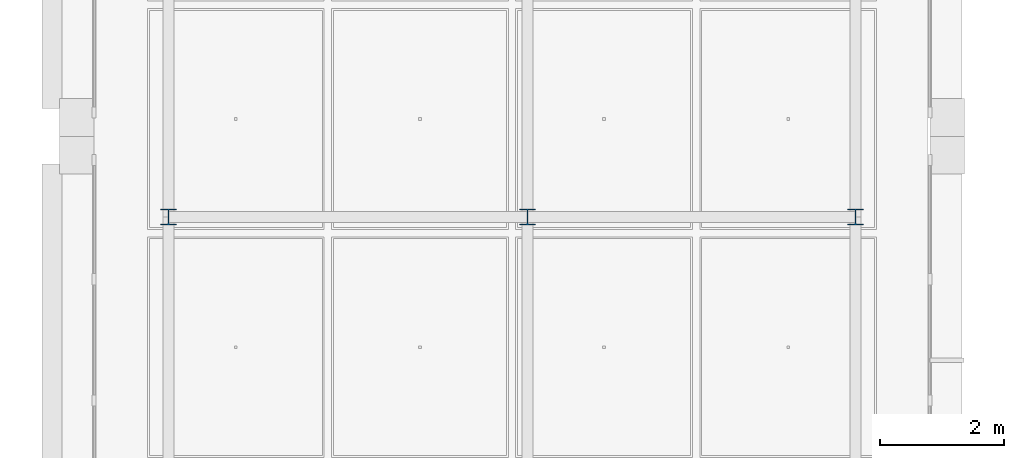
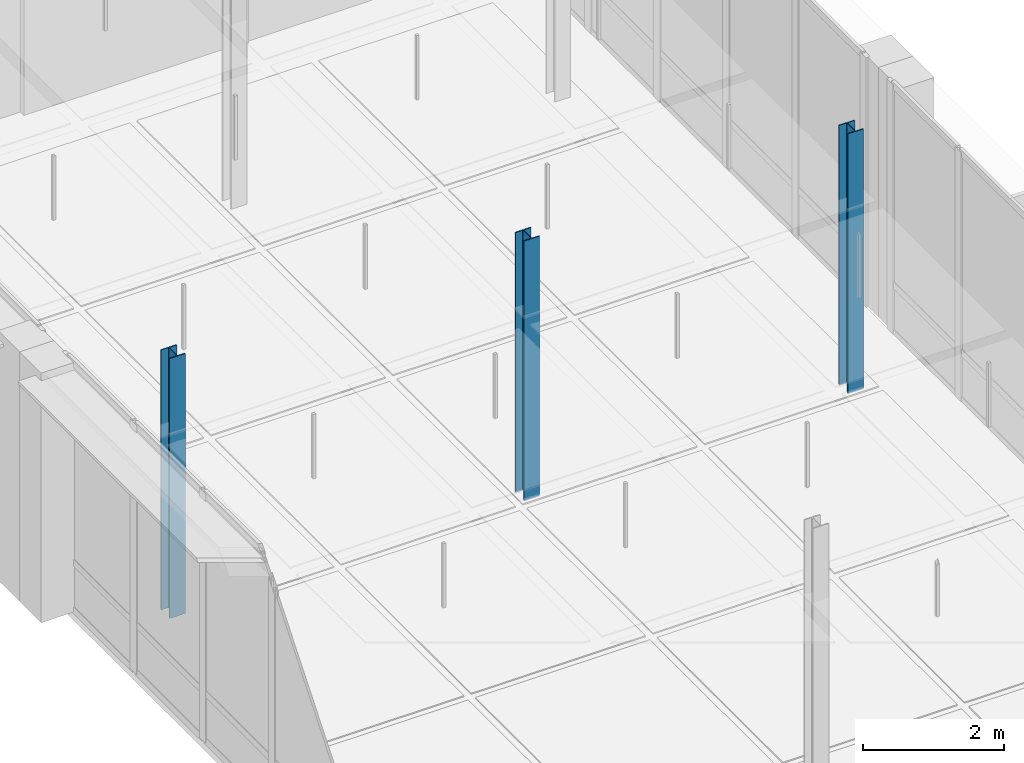
# One storey, part 12 of 130: 3 columns.
"""IFC4 building model written with IfcOpenShell, lengths in metres."""

from ifc_helpers import new_model, si_unit, direction, frame, origin, origin_2d, place, context, subcontext, project, spatial, i_section, extrude, material, material_profile, profile_set, type_object, element, save


model = new_model("IFC4")

# Units and contexts
model_context = context("Model", 3, precision=1e-05, world=origin(), true_north=direction((0.0, 1.0)))
body_context = subcontext(model_context, "Body", "Model", "MODEL_VIEW")
ifc_project = project(units=[si_unit("LENGTHUNIT", "METRE"), si_unit("AREAUNIT", "SQUARE_METRE"), si_unit("VOLUMEUNIT", "CUBIC_METRE"), si_unit("PLANEANGLEUNIT", "RADIAN"), si_unit("MASSUNIT", "GRAM", prefix="KILO"), si_unit("THERMODYNAMICTEMPERATUREUNIT", "KELVIN"), si_unit("POWERUNIT", "WATT")], contexts=[model_context])

# Site, building, storey
site_placement = place(None, origin())
site = spatial("IfcSite", under=ifc_project, at=site_placement, CompositionType="ELEMENT")
building_placement = place(site_placement, origin())
building = spatial("IfcBuilding", under=site, at=building_placement, Name="Tallowbark Science Centre", CompositionType="ELEMENT")
storey_placement = place(building_placement, frame((0.0, 0.0, 5.39990234375)))
storey = spatial("IfcBuildingStorey", under=building, at=storey_placement, Name="L01", CompositionType="ELEMENT", Elevation=5.39990234375)

# Columns
ifc_material = material(Name="Structural Steel Grade 300PLUS (300 MPa)", Category="steel")
ifc_material_profile = material_profile(ifc_material, i_section(OverallWidth=0.256103515625, OverallDepth=0.260009765625, WebThickness=0.010498046875, FlangeThickness=0.017333984375, FilletRadius=0.013916015625, at=origin_2d()), Name="250UC89.5")
ifc_profile_set = profile_set([ifc_material_profile], Name="Structural Steel Grade 300PLUS (300 MPa)")
column_type = type_object("IfcColumnType", Name="COL-UC250A", PredefinedType="COLUMN", material=ifc_profile_set)
for number, where, z_axis, x_axis, name in (
    (1, (100.199951171875, 60.199951171875, 0.0), (0.0, 0.0, 1.0), (1.0, 0.0, 0.0), "Column LNK-0_2 L01"),
    (2, (106.0, 60.199951171875, 0.0), (0.0, 0.0, 1.0), (1.0, 0.0, 0.0), "Column LNK-1_2 L01"),
    (3, (111.300048828125, 60.199951171875, 0.0), (0.0, 0.0, 1.0), (1.0, 0.0, 0.0), "Column LNK-2_2 L01"),
):
    element("IfcColumn", number, at=place(storey_placement, frame(where, z_axis=z_axis, x_axis=x_axis)), inside=storey, type_object=column_type, Name=name, PredefinedType="COLUMN", context=body_context, shape_type="SweptSolid", body=[
        extrude(i_section(OverallWidth=0.256103515625, OverallDepth=0.260009765625, WebThickness=0.010498046875, FlangeThickness=0.017333984375, FilletRadius=0.013916015625, at=origin_2d()), origin(), (0.0, 0.0, 1.0), 4.5),
    ])

save(model, "model.ifc")
